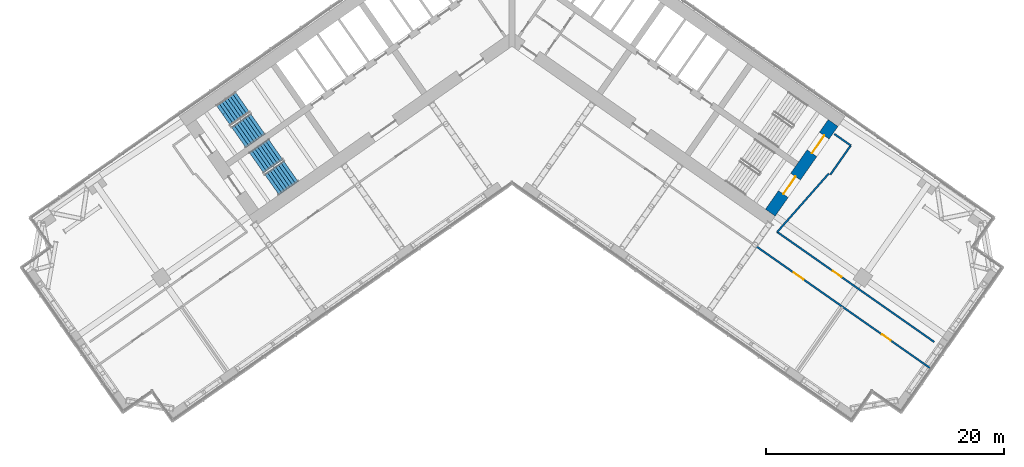
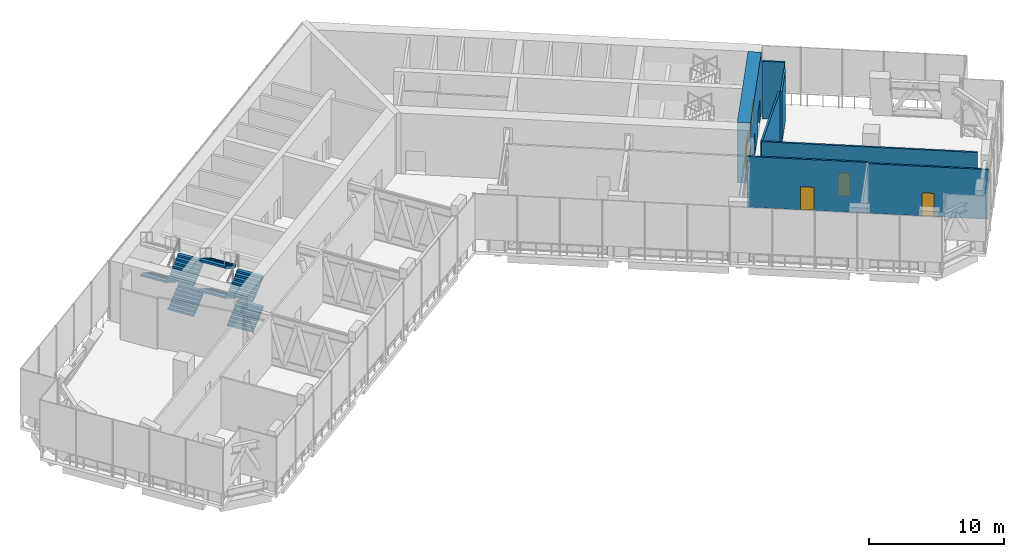
# One storey, part 7 of 24: 7 stair flights, 7 walls, 5 doors, 5 openings, 2 elements without a shape of their own.
"""IFC4 building model written with IfcOpenShell, lengths in metres."""

from ifc_helpers import new_model, si_unit, direction, frame, frame_2d, origin, place, context, subcontext, project, spatial, polyline, rectangle, outline, extrude, material, layer, layer_set, type_object, element, fill, aggregate, save


model = new_model("IFC4")

# Units and contexts
model_context = context("Model", 3, precision=1e-05, world=origin(), true_north=direction((0.0, 1.0)))
body_context = subcontext(model_context, "Body", "Model", "MODEL_VIEW")
ifc_project = project(units=[si_unit("LENGTHUNIT", "METRE"), si_unit("AREAUNIT", "SQUARE_METRE"), si_unit("VOLUMEUNIT", "CUBIC_METRE"), si_unit("PLANEANGLEUNIT", "RADIAN"), si_unit("MASSUNIT", "GRAM", prefix="KILO")], contexts=[model_context])

# Site, building, storey
site_placement = place(None, origin())
site = spatial("IfcSite", under=ifc_project, at=site_placement, CompositionType="ELEMENT")
building_placement = place(site_placement, origin())
building = spatial("IfcBuilding", under=site, at=building_placement, Name="Tel Ilan Convention Tower", CompositionType="ELEMENT")
storey_placement = place(building_placement, frame((0.0, 0.0, 126.5)))
storey = spatial("IfcBuildingStorey", under=building, at=storey_placement, Name="L28", CompositionType="ELEMENT", Elevation=126.5)

# Wall, openings, doors
ifc_material_1 = material(Name="Concrete C60/75", Category="concrete")
ifc_layer_1 = layer(ifc_material_1, 1.0)
ifc_layer_set_1 = layer_set([ifc_layer_1], Name="Core Shear Wall 1000 mm C60/75")
wall_type_1 = type_object("IfcWallType", Name="Core Shear Wall 1000 mm C60/75", PredefinedType="SHEAR", material=ifc_layer_set_1)
wall_1_placement = place(storey_placement, frame((21.70751953125, -15.19970703125, 0.0), z_axis=(0.0, 0.0, 1.0), x_axis=(0.573576324356, 0.819152122709, 0.0)))
wall_1 = element("IfcWall", 1, at=wall_1_placement, inside=storey, type_object=wall_type_1, Name="L28 core wall E-end", PredefinedType="SHEAR", context=body_context, shape_type="SweptSolid", body=[
    extrude(outline(polyline([(9.199951171875, 0.5), (0.0, 0.5), (0.0, -0.5), (9.199951171875, -0.5), (9.199951171875, 0.5)])), origin(), (0.0, 0.0, 1.0), 5.5),
])
opening_1_placement = place(wall_1_placement, frame((6.10009765625, 0.0, 0.0)))
opening_1 = element("IfcOpeningElement", 2, at=opening_1_placement, cuts=wall_1, Name="Opening SD2203", PredefinedType="OPENING", context=body_context, shape_type="SweptSolid", body=[
    extrude(rectangle(XDim=1.800048828125, YDim=2.10009765625, at=frame_2d((0.89990234375, 1.050048828125))), frame((0.0, 0.510009765625, 0.0), z_axis=(0.0, -1.0, 0.0), x_axis=(1.0, 0.0, 0.0)), (0.0, 0.0, 1.0), 1.02001953125),
])
opening_2_placement = place(wall_1_placement, frame((1.89990234375, 0.0, 0.0)))
opening_2 = element("IfcOpeningElement", 3, at=opening_2_placement, cuts=wall_1, Name="Opening SD2204", PredefinedType="OPENING", context=body_context, shape_type="SweptSolid", body=[
    extrude(rectangle(XDim=1.800048828125, YDim=2.10009765625, at=frame_2d((0.89990234375, 1.050048828125))), frame((0.0, 0.510009765625, 0.0), z_axis=(0.0, -1.0, 0.0), x_axis=(1.0, 0.0, 0.0)), (0.0, 0.0, 1.0), 1.02001953125),
])
ifc_material_2 = material(Name="Galvanised Steel Door Leaf", Category="steel")
door_type_1 = type_object("IfcDoorType", Name="Stair Fire Door 1800 x 2100 FD60S", OperationType="NOTDEFINED", PredefinedType="DOOR", material=ifc_material_2)
door_1_placement = place(opening_1_placement, origin())
door_1 = element("IfcDoor", 4, at=door_1_placement, inside=storey, type_object=door_type_1, Name="Stair S3 door", OperationType="DOUBLE_DOOR_SINGLE_SWING", OverallHeight=2.10009765625, OverallWidth=1.800048828125, PredefinedType="DOOR", context=body_context, shape_type="SweptSolid", body=[
    extrude(rectangle(XDim=1.800048828125, YDim=2.10009765625, at=frame_2d((0.89990234375, 1.050048828125))), frame((0.0, 0.02490234375, 0.0), z_axis=(0.0, -1.0, 0.0), x_axis=(1.0, 0.0, 0.0)), (0.0, 0.0, 1.0), 0.050048828125),
])
fill(opening_1, door_1)
door_2_placement = place(opening_2_placement, origin())
door_2 = element("IfcDoor", 5, at=door_2_placement, inside=storey, type_object=door_type_1, Name="Stair S4 door", OperationType="DOUBLE_DOOR_SINGLE_SWING", OverallHeight=2.10009765625, OverallWidth=1.800048828125, PredefinedType="DOOR", context=body_context, shape_type="SweptSolid", body=[
    extrude(rectangle(XDim=1.800048828125, YDim=2.10009765625, at=frame_2d((0.89990234375, 1.050048828125))), frame((0.0, 0.02490234375, 0.0), z_axis=(0.0, -1.0, 0.0), x_axis=(1.0, 0.0, 0.0)), (0.0, 0.0, 1.0), 0.050048828125),
])
fill(opening_2, door_2)

# Wall, opening, door
ifc_material_3 = material(Name="Plasterboard on Steel Studs", Category="steel")
ifc_layer_2 = layer(ifc_material_3, 0.14990234375)
ifc_layer_set_2 = layer_set([ifc_layer_2], Name="Fire-rated Partition 150 EI 60")
wall_type_2 = type_object("IfcWallType", Name="Fire-rated Partition 150 EI 60", PredefinedType="PARTITIONING", material=ifc_layer_set_2)
wall_2_placement = place(storey_placement, frame((22.28369140625, -16.823974609375, 0.0), z_axis=(0.0, 0.0, 1.0), x_axis=(0.819150741326, -0.573578297171, 0.0)))
wall_2 = element("IfcWall", 6, at=wall_2_placement, inside=storey, type_object=wall_type_2, Name="Partition 001", PredefinedType="PARTITIONING", context=body_context, shape_type="SweptSolid", body=[
    extrude(rectangle(XDim=16.108642578125, YDim=0.14990234375, at=frame_2d((8.05419921875, 0.0))), origin(), (0.0, 0.0, 1.0), 4.60009765625),
])
opening_3_placement = place(wall_2_placement, frame((5.704345703125, 0.0, 0.0)))
opening_3 = element("IfcOpeningElement", 7, at=opening_3_placement, cuts=wall_2, Name="Opening L28-009", PredefinedType="OPENING", context=body_context, shape_type="SweptSolid", body=[
    extrude(rectangle(XDim=0.89990234375, YDim=2.10009765625, at=frame_2d((0.449951171875, 1.050048828125))), frame((0.0, 0.0849609375, 0.0), z_axis=(0.0, -1.0, 0.0), x_axis=(1.0, 0.0, 0.0)), (0.0, 0.0, 1.0), 0.169921875),
])
ifc_material_4 = material(Name="Timber Door Leaf in Steel Frame", Category="steel")
door_type_2 = type_object("IfcDoorType", Name="Room Fire Door 900x2100", OperationType="NOTDEFINED", PredefinedType="DOOR", material=ifc_material_4)
door_3_placement = place(opening_3_placement, origin())
door_3 = element("IfcDoor", 8, at=door_3_placement, inside=storey, type_object=door_type_2, Name="Door L28-009", OperationType="SINGLE_SWING_LEFT", OverallHeight=2.10009765625, OverallWidth=0.89990234375, PredefinedType="DOOR", context=body_context, shape_type="SweptSolid", body=[
    extrude(rectangle(XDim=0.89990234375, YDim=2.10009765625, at=frame_2d((0.449951171875, 1.050048828125))), frame((0.0, 0.02490234375, 0.0), z_axis=(0.0, -1.0, 0.0), x_axis=(1.0, 0.0, 0.0)), (0.0, 0.0, 1.0), 0.050048828125),
])
fill(opening_3, door_3)

wall_3_placement = place(storey_placement, frame((27.770751953125, -23.106689453125, 0.0), z_axis=(0.0, 0.0, 1.0), x_axis=(-0.819164400877, 0.57355878891, 0.0)))
wall_3 = element("IfcWall", 9, at=wall_3_placement, inside=storey, type_object=wall_type_2, Name="Partition 003", PredefinedType="PARTITIONING", context=body_context, shape_type="SweptSolid", body=[
    extrude(rectangle(XDim=9.00390625, YDim=0.14990234375, at=frame_2d((4.501953125, 0.0))), origin(), (0.0, 0.0, 1.0), 4.60009765625),
])
opening_4_placement = place(wall_3_placement, frame((4.001953125, 0.0, 0.0)))
opening_4 = element("IfcOpeningElement", 10, at=opening_4_placement, cuts=wall_3, Name="Opening L28-007", PredefinedType="OPENING", context=body_context, shape_type="SweptSolid", body=[
    extrude(rectangle(XDim=1.0, YDim=2.10009765625, at=frame_2d((0.5, 1.050048828125))), frame((0.0, 0.0849609375, 0.0), z_axis=(0.0, -1.0, 0.0), x_axis=(1.0, 0.0, 0.0)), (0.0, 0.0, 1.0), 0.169921875),
])
ifc_material_5 = material(Name="Timber Door Leaf in Steel Frame", Category="steel")
door_type_3 = type_object("IfcDoorType", Name="Plant Room Fire Door 1000x2100", OperationType="NOTDEFINED", PredefinedType="DOOR", material=ifc_material_5)
door_4_placement = place(opening_4_placement, origin())
door_4 = element("IfcDoor", 11, at=door_4_placement, inside=storey, type_object=door_type_3, Name="Door L28-007", OperationType="SINGLE_SWING_RIGHT", OverallHeight=2.10009765625, OverallWidth=1.0, PredefinedType="DOOR", context=body_context, shape_type="SweptSolid", body=[
    extrude(rectangle(XDim=1.0, YDim=2.10009765625, at=frame_2d((0.5, 1.050048828125))), frame((0.0, 0.02490234375, 0.0), z_axis=(0.0, -1.0, 0.0), x_axis=(1.0, 0.0, 0.0)), (0.0, 0.0, 1.0), 0.050048828125),
])
fill(opening_4, door_4)

wall_4_placement = place(storey_placement, frame((35.1416015625, -28.267578125, 0.0), z_axis=(0.0, 0.0, 1.0), x_axis=(-0.819165659482, 0.573556991349, 0.0)))
wall_4 = element("IfcWall", 12, at=wall_4_placement, inside=storey, type_object=wall_type_2, Name="Partition 004", PredefinedType="PARTITIONING", context=body_context, shape_type="SweptSolid", body=[
    extrude(rectangle(XDim=9.001953125, YDim=0.14990234375, at=frame_2d((4.5009765625, 0.0))), origin(), (0.0, 0.0, 1.0), 4.5),
])
opening_5_placement = place(wall_4_placement, frame((4.05078125, 0.0, 0.0)))
opening_5 = element("IfcOpeningElement", 13, at=opening_5_placement, cuts=wall_4, Name="Opening L28-008", PredefinedType="OPENING", context=body_context, shape_type="SweptSolid", body=[
    extrude(rectangle(XDim=0.89990234375, YDim=2.10009765625, at=frame_2d((0.449951171875, 1.050048828125))), frame((0.0, 0.0849609375, 0.0), z_axis=(0.0, -1.0, 0.0), x_axis=(1.0, 0.0, 0.0)), (0.0, 0.0, 1.0), 0.169921875),
])
ifc_material_6 = material(Name="Timber Door Leaf in Steel Frame", Category="steel")
door_type_4 = type_object("IfcDoorType", Name="Riser and Service Fire Door 900x2100", OperationType="NOTDEFINED", PredefinedType="DOOR", material=ifc_material_6)
door_5_placement = place(opening_5_placement, origin())
door_5 = element("IfcDoor", 14, at=door_5_placement, inside=storey, type_object=door_type_4, Name="Door L28-008", OperationType="SINGLE_SWING_LEFT", OverallHeight=2.10009765625, OverallWidth=0.89990234375, PredefinedType="DOOR", context=body_context, shape_type="SweptSolid", body=[
    extrude(rectangle(XDim=0.89990234375, YDim=2.10009765625, at=frame_2d((0.449951171875, 1.050048828125))), frame((0.0, 0.02490234375, 0.0), z_axis=(0.0, -1.0, 0.0), x_axis=(1.0, 0.0, 0.0)), (0.0, 0.0, 1.0), 0.050048828125),
])
fill(opening_5, door_5)

# Walls
wall_5_placement = place(storey_placement, frame((22.285400390625, -16.8251953125, 0.0), z_axis=(0.0, 0.0, 1.0), x_axis=(0.661551268245, 0.749899939647, 0.0)))
element("IfcWall", 15, at=wall_5_placement, inside=storey, type_object=wall_type_2, Name="Partition 010", PredefinedType="PARTITIONING", context=body_context, shape_type="SweptSolid", body=[
    extrude(rectangle(XDim=6.541015625, YDim=0.14990234375, at=frame_2d((3.2705078125, 0.0))), origin(), (0.0, 0.0, 1.0), 4.60009765625),
])
wall_6_placement = place(storey_placement, frame((26.74609375, -12.013671875, 0.0), z_axis=(0.0, 0.0, 1.0), x_axis=(0.573560650686, 0.819163097304, 0.0)))
element("IfcWall", 16, at=wall_6_placement, inside=storey, type_object=wall_type_2, Name="Partition 011", PredefinedType="PARTITIONING", context=body_context, shape_type="SweptSolid", body=[
    extrude(rectangle(XDim=3.0, YDim=0.14990234375, at=frame_2d((1.5, 0.0))), origin(), (0.0, 0.0, 1.0), 4.60009765625),
])
wall_7_placement = place(storey_placement, frame((28.466796875, -9.55615234375, 0.0), z_axis=(0.0, 0.0, 1.0), x_axis=(-0.819109000826, 0.573637903879, 0.0)))
element("IfcWall", 17, at=wall_7_placement, inside=storey, type_object=wall_type_2, Name="Partition 012", PredefinedType="PARTITIONING", context=body_context, shape_type="SweptSolid", body=[
    extrude(rectangle(XDim=1.679931640625, YDim=0.14990234375, at=frame_2d((0.83984375, 0.0))), origin(), (0.0, 0.0, 1.0), 5.219970703125),
])

# Stair, stair flights
ifc_material_7 = material(Name="Concrete C40/50", Category="concrete")
stair_type = type_object("IfcStairType", Name="Pressurised Exit Stair 32 risers 172 mm", PredefinedType="HALF_TURN_STAIR", material=ifc_material_7)
stair_1_placement = place(storey_placement, origin())
stair_1 = element("IfcStair", 18, at=stair_1_placement, inside=storey, type_object=stair_type, Name="L28 Pressurised Stair S1", PredefinedType="HALF_TURN_STAIR")
ifc_material_8 = material(Name="Precast Concrete C40/50", Category="concrete")
stair_flight_type = type_object("IfcStairFlightType", Name="Concrete Stair Flight 2100 mm 32 risers 172 mm", PredefinedType="STRAIGHT", material=ifc_material_8)
stair_flight_1_placement = place(storey_placement, frame((-22.9619140625, -8.87548828125, 0.0), z_axis=(0.0, 0.0, 1.0), x_axis=(0.819152044289, 0.573576436351, 0.0)))
stair_flight_1 = element("IfcStairFlight", 19, at=stair_flight_1_placement, type_object=stair_flight_type, Name="S1 flight 1", NumberOfRisers=8, NumberOfTreads=7, PredefinedType="STRAIGHT", RiserHeight=0.171875, TreadLength=0.28, context=body_context, shape_type="SweptSolid", body=[
    extrude(outline(polyline([(0.0, 0.0), (0.0, 0.171875), (0.280029296875, 0.171875), (0.280029296875, 0.34375), (0.56005859375, 0.34375), (0.56005859375, 0.515625), (0.840087890625, 0.515625), (0.840087890625, 0.6875), (1.1201171875, 0.6875), (1.1201171875, 0.859375), (1.39990234375, 0.859375), (1.39990234375, 1.03125), (1.679931640625, 1.03125), (1.679931640625, 1.203125), (1.9599609375, 1.203125), (1.9599609375, 1.375), (1.9599609375, 1.02734375), (0.28662109375, 0.0), (0.0, 0.0)])), frame((0.0, -0.100341796875, 0.0), z_axis=(0.0, -1.0, 0.0), x_axis=(1.0, 0.0, 0.0)), (0.0, 0.0, 1.0), 0.94970703125),
    extrude(outline(polyline([(0.0, 0.0), (0.0, 0.171875), (0.280029296875, 0.171875), (0.280029296875, 0.34375), (0.56005859375, 0.34375), (0.56005859375, 0.515625), (0.840087890625, 0.515625), (0.840087890625, 0.6875), (1.1201171875, 0.6875), (1.1201171875, 0.859375), (1.39990234375, 0.859375), (1.39990234375, 1.03125), (1.679931640625, 1.03125), (1.679931640625, 1.203125), (1.9599609375, 1.203125), (1.9599609375, 1.375), (1.9599609375, 1.02734375), (0.28662109375, 0.0), (0.0, 0.0)])), frame((0.0, -0.000244140625, 0.0), z_axis=(0.0, -1.0, 0.0), x_axis=(1.0, 0.0, 0.0)), (0.0, 0.0, 1.0), 0.099609375),
    extrude(outline(polyline([(0.0, 0.0), (0.0, 0.171875), (0.280029296875, 0.171875), (0.280029296875, 0.34375), (0.56005859375, 0.34375), (0.56005859375, 0.515625), (0.840087890625, 0.515625), (0.840087890625, 0.6875), (1.1201171875, 0.6875), (1.1201171875, 0.859375), (1.39990234375, 0.859375), (1.39990234375, 1.03125), (1.679931640625, 1.03125), (1.679931640625, 1.203125), (1.9599609375, 1.203125), (1.9599609375, 1.375), (1.9599609375, 1.02734375), (0.28662109375, 0.0), (0.0, 0.0)])), frame((0.0, 0.099853515625, 0.0), z_axis=(0.0, -1.0, 0.0), x_axis=(1.0, 0.0, 0.0)), (0.0, 0.0, 1.0), 0.099609375),
    extrude(outline(polyline([(0.0, 0.0), (0.0, 0.171875), (0.280029296875, 0.171875), (0.280029296875, 0.34375), (0.56005859375, 0.34375), (0.56005859375, 0.515625), (0.840087890625, 0.515625), (0.840087890625, 0.6875), (1.1201171875, 0.6875), (1.1201171875, 0.859375), (1.39990234375, 0.859375), (1.39990234375, 1.03125), (1.679931640625, 1.03125), (1.679931640625, 1.203125), (1.9599609375, 1.203125), (1.9599609375, 1.375), (1.9599609375, 1.02734375), (0.28662109375, 0.0), (0.0, 0.0)])), frame((0.0, 1.050048828125, 0.0), z_axis=(0.0, -1.0, 0.0), x_axis=(1.0, 0.0, 0.0)), (0.0, 0.0, 1.0), 0.94970703125),
])
stair_flight_2_placement = place(storey_placement, frame((-22.646728515625, -5.908203125, 1.375), z_axis=(0.0, 0.0, 1.0), x_axis=(-0.819152044289, -0.573576436351, 0.0)))
stair_flight_2 = element("IfcStairFlight", 20, at=stair_flight_2_placement, type_object=stair_flight_type, Name="S1 flight 2", NumberOfRisers=8, NumberOfTreads=7, PredefinedType="STRAIGHT", RiserHeight=0.171875, TreadLength=0.28, context=body_context, shape_type="SweptSolid", body=[
    extrude(outline(polyline([(0.0, 0.0), (0.0, 0.171875), (0.280029296875, 0.171875), (0.280029296875, 0.34375), (0.56005859375, 0.34375), (0.56005859375, 0.515625), (0.840087890625, 0.515625), (0.840087890625, 0.6875), (1.1201171875, 0.6875), (1.1201171875, 0.859375), (1.39990234375, 0.859375), (1.39990234375, 1.03125), (1.679931640625, 1.03125), (1.679931640625, 1.203125), (1.9599609375, 1.203125), (1.9599609375, 1.375), (1.9599609375, 1.02734375), (0.28662109375, 0.0), (0.0, 0.0)])), frame((0.0, -0.100341796875, 0.0), z_axis=(0.0, -1.0, 0.0), x_axis=(1.0, 0.0, 0.0)), (0.0, 0.0, 1.0), 0.94970703125),
    extrude(outline(polyline([(0.0, 0.0), (0.0, 0.171875), (0.280029296875, 0.171875), (0.280029296875, 0.34375), (0.56005859375, 0.34375), (0.56005859375, 0.515625), (0.840087890625, 0.515625), (0.840087890625, 0.6875), (1.1201171875, 0.6875), (1.1201171875, 0.859375), (1.39990234375, 0.859375), (1.39990234375, 1.03125), (1.679931640625, 1.03125), (1.679931640625, 1.203125), (1.9599609375, 1.203125), (1.9599609375, 1.375), (1.9599609375, 1.02734375), (0.28662109375, 0.0), (0.0, 0.0)])), frame((0.0, -0.000244140625, 0.0), z_axis=(0.0, -1.0, 0.0), x_axis=(1.0, 0.0, 0.0)), (0.0, 0.0, 1.0), 0.099609375),
    extrude(outline(polyline([(0.0, 0.0), (0.0, 0.171875), (0.280029296875, 0.171875), (0.280029296875, 0.34375), (0.56005859375, 0.34375), (0.56005859375, 0.515625), (0.840087890625, 0.515625), (0.840087890625, 0.6875), (1.1201171875, 0.6875), (1.1201171875, 0.859375), (1.39990234375, 0.859375), (1.39990234375, 1.03125), (1.679931640625, 1.03125), (1.679931640625, 1.203125), (1.9599609375, 1.203125), (1.9599609375, 1.375), (1.9599609375, 1.02734375), (0.28662109375, 0.0), (0.0, 0.0)])), frame((0.0, 0.099853515625, 0.0), z_axis=(0.0, -1.0, 0.0), x_axis=(1.0, 0.0, 0.0)), (0.0, 0.0, 1.0), 0.099609375),
    extrude(outline(polyline([(0.0, 0.0), (0.0, 0.171875), (0.280029296875, 0.171875), (0.280029296875, 0.34375), (0.56005859375, 0.34375), (0.56005859375, 0.515625), (0.840087890625, 0.515625), (0.840087890625, 0.6875), (1.1201171875, 0.6875), (1.1201171875, 0.859375), (1.39990234375, 0.859375), (1.39990234375, 1.03125), (1.679931640625, 1.03125), (1.679931640625, 1.203125), (1.9599609375, 1.203125), (1.9599609375, 1.375), (1.9599609375, 1.02734375), (0.28662109375, 0.0), (0.0, 0.0)])), frame((0.0, 1.050048828125, 0.0), z_axis=(0.0, -1.0, 0.0), x_axis=(1.0, 0.0, 0.0)), (0.0, 0.0, 1.0), 0.94970703125),
])
stair_flight_3_placement = place(storey_placement, frame((-22.9619140625, -8.87548828125, 2.75), z_axis=(0.0, 0.0, 1.0), x_axis=(0.819152044289, 0.573576436351, 0.0)))
stair_flight_3 = element("IfcStairFlight", 21, at=stair_flight_3_placement, type_object=stair_flight_type, Name="S1 flight 3", NumberOfRisers=8, NumberOfTreads=7, PredefinedType="STRAIGHT", RiserHeight=0.171875, TreadLength=0.28, context=body_context, shape_type="SweptSolid", body=[
    extrude(outline(polyline([(0.0, 0.0), (0.0, 0.171875), (0.280029296875, 0.171875), (0.280029296875, 0.34375), (0.56005859375, 0.34375), (0.56005859375, 0.515625), (0.840087890625, 0.515625), (0.840087890625, 0.6875), (1.1201171875, 0.6875), (1.1201171875, 0.859375), (1.39990234375, 0.859375), (1.39990234375, 1.03125), (1.679931640625, 1.03125), (1.679931640625, 1.203125), (1.9599609375, 1.203125), (1.9599609375, 1.375), (1.9599609375, 1.02734375), (0.28662109375, 0.0), (0.0, 0.0)])), frame((0.0, -0.100341796875, 0.0), z_axis=(0.0, -1.0, 0.0), x_axis=(1.0, 0.0, 0.0)), (0.0, 0.0, 1.0), 0.94970703125),
    extrude(outline(polyline([(0.0, 0.0), (0.0, 0.171875), (0.280029296875, 0.171875), (0.280029296875, 0.34375), (0.56005859375, 0.34375), (0.56005859375, 0.515625), (0.840087890625, 0.515625), (0.840087890625, 0.6875), (1.1201171875, 0.6875), (1.1201171875, 0.859375), (1.39990234375, 0.859375), (1.39990234375, 1.03125), (1.679931640625, 1.03125), (1.679931640625, 1.203125), (1.9599609375, 1.203125), (1.9599609375, 1.375), (1.9599609375, 1.02734375), (0.28662109375, 0.0), (0.0, 0.0)])), frame((0.0, -0.000244140625, 0.0), z_axis=(0.0, -1.0, 0.0), x_axis=(1.0, 0.0, 0.0)), (0.0, 0.0, 1.0), 0.099609375),
    extrude(outline(polyline([(0.0, 0.0), (0.0, 0.171875), (0.280029296875, 0.171875), (0.280029296875, 0.34375), (0.56005859375, 0.34375), (0.56005859375, 0.515625), (0.840087890625, 0.515625), (0.840087890625, 0.6875), (1.1201171875, 0.6875), (1.1201171875, 0.859375), (1.39990234375, 0.859375), (1.39990234375, 1.03125), (1.679931640625, 1.03125), (1.679931640625, 1.203125), (1.9599609375, 1.203125), (1.9599609375, 1.375), (1.9599609375, 1.02734375), (0.28662109375, 0.0), (0.0, 0.0)])), frame((0.0, 0.099853515625, 0.0), z_axis=(0.0, -1.0, 0.0), x_axis=(1.0, 0.0, 0.0)), (0.0, 0.0, 1.0), 0.099609375),
    extrude(outline(polyline([(0.0, 0.0), (0.0, 0.171875), (0.280029296875, 0.171875), (0.280029296875, 0.34375), (0.56005859375, 0.34375), (0.56005859375, 0.515625), (0.840087890625, 0.515625), (0.840087890625, 0.6875), (1.1201171875, 0.6875), (1.1201171875, 0.859375), (1.39990234375, 0.859375), (1.39990234375, 1.03125), (1.679931640625, 1.03125), (1.679931640625, 1.203125), (1.9599609375, 1.203125), (1.9599609375, 1.375), (1.9599609375, 1.02734375), (0.28662109375, 0.0), (0.0, 0.0)])), frame((0.0, 1.050048828125, 0.0), z_axis=(0.0, -1.0, 0.0), x_axis=(1.0, 0.0, 0.0)), (0.0, 0.0, 1.0), 0.94970703125),
])
aggregate(stair_1, [stair_flight_1, stair_flight_2, stair_flight_3])

stair_2_placement = place(storey_placement, origin())
stair_2 = element("IfcStair", 22, at=stair_2_placement, inside=storey, type_object=stair_type, Name="L28 Pressurised Stair S2", PredefinedType="HALF_TURN_STAIR")
stair_flight_4_placement = place(storey_placement, frame((-20.179931640625, -12.848388671875, 0.0), z_axis=(0.0, 0.0, 1.0), x_axis=(0.819152044289, 0.573576436351, 0.0)))
stair_flight_4 = element("IfcStairFlight", 23, at=stair_flight_4_placement, type_object=stair_flight_type, Name="S2 flight 1", NumberOfRisers=8, NumberOfTreads=7, PredefinedType="STRAIGHT", RiserHeight=0.171875, TreadLength=0.28, context=body_context, shape_type="SweptSolid", body=[
    extrude(outline(polyline([(0.0, 0.0), (0.0, 0.171875), (0.280029296875, 0.171875), (0.280029296875, 0.34375), (0.56005859375, 0.34375), (0.56005859375, 0.515625), (0.840087890625, 0.515625), (0.840087890625, 0.6875), (1.1201171875, 0.6875), (1.1201171875, 0.859375), (1.39990234375, 0.859375), (1.39990234375, 1.03125), (1.679931640625, 1.03125), (1.679931640625, 1.203125), (1.9599609375, 1.203125), (1.9599609375, 1.375), (1.9599609375, 1.02734375), (0.28662109375, 0.0), (0.0, 0.0)])), frame((0.0, -0.100341796875, 0.0), z_axis=(0.0, -1.0, 0.0), x_axis=(1.0, 0.0, 0.0)), (0.0, 0.0, 1.0), 0.94970703125),
    extrude(outline(polyline([(0.0, 0.0), (0.0, 0.171875), (0.280029296875, 0.171875), (0.280029296875, 0.34375), (0.56005859375, 0.34375), (0.56005859375, 0.515625), (0.840087890625, 0.515625), (0.840087890625, 0.6875), (1.1201171875, 0.6875), (1.1201171875, 0.859375), (1.39990234375, 0.859375), (1.39990234375, 1.03125), (1.679931640625, 1.03125), (1.679931640625, 1.203125), (1.9599609375, 1.203125), (1.9599609375, 1.375), (1.9599609375, 1.02734375), (0.28662109375, 0.0), (0.0, 0.0)])), frame((0.0, -0.000244140625, 0.0), z_axis=(0.0, -1.0, 0.0), x_axis=(1.0, 0.0, 0.0)), (0.0, 0.0, 1.0), 0.099609375),
    extrude(outline(polyline([(0.0, 0.0), (0.0, 0.171875), (0.280029296875, 0.171875), (0.280029296875, 0.34375), (0.56005859375, 0.34375), (0.56005859375, 0.515625), (0.840087890625, 0.515625), (0.840087890625, 0.6875), (1.1201171875, 0.6875), (1.1201171875, 0.859375), (1.39990234375, 0.859375), (1.39990234375, 1.03125), (1.679931640625, 1.03125), (1.679931640625, 1.203125), (1.9599609375, 1.203125), (1.9599609375, 1.375), (1.9599609375, 1.02734375), (0.28662109375, 0.0), (0.0, 0.0)])), frame((0.0, 0.099853515625, 0.0), z_axis=(0.0, -1.0, 0.0), x_axis=(1.0, 0.0, 0.0)), (0.0, 0.0, 1.0), 0.099609375),
    extrude(outline(polyline([(0.0, 0.0), (0.0, 0.171875), (0.280029296875, 0.171875), (0.280029296875, 0.34375), (0.56005859375, 0.34375), (0.56005859375, 0.515625), (0.840087890625, 0.515625), (0.840087890625, 0.6875), (1.1201171875, 0.6875), (1.1201171875, 0.859375), (1.39990234375, 0.859375), (1.39990234375, 1.03125), (1.679931640625, 1.03125), (1.679931640625, 1.203125), (1.9599609375, 1.203125), (1.9599609375, 1.375), (1.9599609375, 1.02734375), (0.28662109375, 0.0), (0.0, 0.0)])), frame((0.0, 1.050048828125, 0.0), z_axis=(0.0, -1.0, 0.0), x_axis=(1.0, 0.0, 0.0)), (0.0, 0.0, 1.0), 0.94970703125),
])
stair_flight_5_placement = place(storey_placement, frame((-19.864990234375, -9.881103515625, 1.375), z_axis=(0.0, 0.0, 1.0), x_axis=(-0.819152044289, -0.573576436351, 0.0)))
stair_flight_5 = element("IfcStairFlight", 24, at=stair_flight_5_placement, type_object=stair_flight_type, Name="S2 flight 2", NumberOfRisers=8, NumberOfTreads=7, PredefinedType="STRAIGHT", RiserHeight=0.171875, TreadLength=0.28, context=body_context, shape_type="SweptSolid", body=[
    extrude(outline(polyline([(0.0, 0.0), (0.0, 0.171875), (0.280029296875, 0.171875), (0.280029296875, 0.34375), (0.56005859375, 0.34375), (0.56005859375, 0.515625), (0.840087890625, 0.515625), (0.840087890625, 0.6875), (1.1201171875, 0.6875), (1.1201171875, 0.859375), (1.39990234375, 0.859375), (1.39990234375, 1.03125), (1.679931640625, 1.03125), (1.679931640625, 1.203125), (1.9599609375, 1.203125), (1.9599609375, 1.375), (1.9599609375, 1.02734375), (0.28662109375, 0.0), (0.0, 0.0)])), frame((0.0, -0.100341796875, 0.0), z_axis=(0.0, -1.0, 0.0), x_axis=(1.0, 0.0, 0.0)), (0.0, 0.0, 1.0), 0.94970703125),
    extrude(outline(polyline([(0.0, 0.0), (0.0, 0.171875), (0.280029296875, 0.171875), (0.280029296875, 0.34375), (0.56005859375, 0.34375), (0.56005859375, 0.515625), (0.840087890625, 0.515625), (0.840087890625, 0.6875), (1.1201171875, 0.6875), (1.1201171875, 0.859375), (1.39990234375, 0.859375), (1.39990234375, 1.03125), (1.679931640625, 1.03125), (1.679931640625, 1.203125), (1.9599609375, 1.203125), (1.9599609375, 1.375), (1.9599609375, 1.02734375), (0.28662109375, 0.0), (0.0, 0.0)])), frame((0.0, -0.000244140625, 0.0), z_axis=(0.0, -1.0, 0.0), x_axis=(1.0, 0.0, 0.0)), (0.0, 0.0, 1.0), 0.099609375),
    extrude(outline(polyline([(0.0, 0.0), (0.0, 0.171875), (0.280029296875, 0.171875), (0.280029296875, 0.34375), (0.56005859375, 0.34375), (0.56005859375, 0.515625), (0.840087890625, 0.515625), (0.840087890625, 0.6875), (1.1201171875, 0.6875), (1.1201171875, 0.859375), (1.39990234375, 0.859375), (1.39990234375, 1.03125), (1.679931640625, 1.03125), (1.679931640625, 1.203125), (1.9599609375, 1.203125), (1.9599609375, 1.375), (1.9599609375, 1.02734375), (0.28662109375, 0.0), (0.0, 0.0)])), frame((0.0, 0.099853515625, 0.0), z_axis=(0.0, -1.0, 0.0), x_axis=(1.0, 0.0, 0.0)), (0.0, 0.0, 1.0), 0.099609375),
    extrude(outline(polyline([(0.0, 0.0), (0.0, 0.171875), (0.280029296875, 0.171875), (0.280029296875, 0.34375), (0.56005859375, 0.34375), (0.56005859375, 0.515625), (0.840087890625, 0.515625), (0.840087890625, 0.6875), (1.1201171875, 0.6875), (1.1201171875, 0.859375), (1.39990234375, 0.859375), (1.39990234375, 1.03125), (1.679931640625, 1.03125), (1.679931640625, 1.203125), (1.9599609375, 1.203125), (1.9599609375, 1.375), (1.9599609375, 1.02734375), (0.28662109375, 0.0), (0.0, 0.0)])), frame((0.0, 1.050048828125, 0.0), z_axis=(0.0, -1.0, 0.0), x_axis=(1.0, 0.0, 0.0)), (0.0, 0.0, 1.0), 0.94970703125),
])
stair_flight_6_placement = place(storey_placement, frame((-20.179931640625, -12.848388671875, 2.75), z_axis=(0.0, 0.0, 1.0), x_axis=(0.819152044289, 0.573576436351, 0.0)))
stair_flight_6 = element("IfcStairFlight", 25, at=stair_flight_6_placement, type_object=stair_flight_type, Name="S2 flight 3", NumberOfRisers=8, NumberOfTreads=7, PredefinedType="STRAIGHT", RiserHeight=0.171875, TreadLength=0.28, context=body_context, shape_type="SweptSolid", body=[
    extrude(outline(polyline([(0.0, 0.0), (0.0, 0.171875), (0.280029296875, 0.171875), (0.280029296875, 0.34375), (0.56005859375, 0.34375), (0.56005859375, 0.515625), (0.840087890625, 0.515625), (0.840087890625, 0.6875), (1.1201171875, 0.6875), (1.1201171875, 0.859375), (1.39990234375, 0.859375), (1.39990234375, 1.03125), (1.679931640625, 1.03125), (1.679931640625, 1.203125), (1.9599609375, 1.203125), (1.9599609375, 1.375), (1.9599609375, 1.02734375), (0.28662109375, 0.0), (0.0, 0.0)])), frame((0.0, -0.100341796875, 0.0), z_axis=(0.0, -1.0, 0.0), x_axis=(1.0, 0.0, 0.0)), (0.0, 0.0, 1.0), 0.94970703125),
    extrude(outline(polyline([(0.0, 0.0), (0.0, 0.171875), (0.280029296875, 0.171875), (0.280029296875, 0.34375), (0.56005859375, 0.34375), (0.56005859375, 0.515625), (0.840087890625, 0.515625), (0.840087890625, 0.6875), (1.1201171875, 0.6875), (1.1201171875, 0.859375), (1.39990234375, 0.859375), (1.39990234375, 1.03125), (1.679931640625, 1.03125), (1.679931640625, 1.203125), (1.9599609375, 1.203125), (1.9599609375, 1.375), (1.9599609375, 1.02734375), (0.28662109375, 0.0), (0.0, 0.0)])), frame((0.0, -0.000244140625, 0.0), z_axis=(0.0, -1.0, 0.0), x_axis=(1.0, 0.0, 0.0)), (0.0, 0.0, 1.0), 0.099609375),
    extrude(outline(polyline([(0.0, 0.0), (0.0, 0.171875), (0.280029296875, 0.171875), (0.280029296875, 0.34375), (0.56005859375, 0.34375), (0.56005859375, 0.515625), (0.840087890625, 0.515625), (0.840087890625, 0.6875), (1.1201171875, 0.6875), (1.1201171875, 0.859375), (1.39990234375, 0.859375), (1.39990234375, 1.03125), (1.679931640625, 1.03125), (1.679931640625, 1.203125), (1.9599609375, 1.203125), (1.9599609375, 1.375), (1.9599609375, 1.02734375), (0.28662109375, 0.0), (0.0, 0.0)])), frame((0.0, 0.099853515625, 0.0), z_axis=(0.0, -1.0, 0.0), x_axis=(1.0, 0.0, 0.0)), (0.0, 0.0, 1.0), 0.099609375),
    extrude(outline(polyline([(0.0, 0.0), (0.0, 0.171875), (0.280029296875, 0.171875), (0.280029296875, 0.34375), (0.56005859375, 0.34375), (0.56005859375, 0.515625), (0.840087890625, 0.515625), (0.840087890625, 0.6875), (1.1201171875, 0.6875), (1.1201171875, 0.859375), (1.39990234375, 0.859375), (1.39990234375, 1.03125), (1.679931640625, 1.03125), (1.679931640625, 1.203125), (1.9599609375, 1.203125), (1.9599609375, 1.375), (1.9599609375, 1.02734375), (0.28662109375, 0.0), (0.0, 0.0)])), frame((0.0, 1.050048828125, 0.0), z_axis=(0.0, -1.0, 0.0), x_axis=(1.0, 0.0, 0.0)), (0.0, 0.0, 1.0), 0.94970703125),
])
stair_flight_7_placement = place(storey_placement, frame((-19.864990234375, -9.881103515625, 4.125), z_axis=(0.0, 0.0, 1.0), x_axis=(-0.819152044289, -0.573576436351, 0.0)))
stair_flight_7 = element("IfcStairFlight", 26, at=stair_flight_7_placement, type_object=stair_flight_type, Name="S2 flight 4", NumberOfRisers=8, NumberOfTreads=7, PredefinedType="STRAIGHT", RiserHeight=0.171875, TreadLength=0.28, context=body_context, shape_type="SweptSolid", body=[
    extrude(outline(polyline([(0.0, 0.0), (0.0, 0.171875), (0.280029296875, 0.171875), (0.280029296875, 0.34375), (0.56005859375, 0.34375), (0.56005859375, 0.515625), (0.840087890625, 0.515625), (0.840087890625, 0.6875), (1.1201171875, 0.6875), (1.1201171875, 0.859375), (1.39990234375, 0.859375), (1.39990234375, 1.03125), (1.679931640625, 1.03125), (1.679931640625, 1.203125), (1.9599609375, 1.203125), (1.9599609375, 1.375), (1.9599609375, 1.02734375), (0.28662109375, 0.0), (0.0, 0.0)])), frame((0.0, -0.100341796875, 0.0), z_axis=(0.0, -1.0, 0.0), x_axis=(1.0, 0.0, 0.0)), (0.0, 0.0, 1.0), 0.94970703125),
    extrude(outline(polyline([(0.0, 0.0), (0.0, 0.171875), (0.280029296875, 0.171875), (0.280029296875, 0.34375), (0.56005859375, 0.34375), (0.56005859375, 0.515625), (0.840087890625, 0.515625), (0.840087890625, 0.6875), (1.1201171875, 0.6875), (1.1201171875, 0.859375), (1.39990234375, 0.859375), (1.39990234375, 1.03125), (1.679931640625, 1.03125), (1.679931640625, 1.203125), (1.9599609375, 1.203125), (1.9599609375, 1.375), (1.9599609375, 1.02734375), (0.28662109375, 0.0), (0.0, 0.0)])), frame((0.0, -0.000244140625, 0.0), z_axis=(0.0, -1.0, 0.0), x_axis=(1.0, 0.0, 0.0)), (0.0, 0.0, 1.0), 0.099609375),
    extrude(outline(polyline([(0.0, 0.0), (0.0, 0.171875), (0.280029296875, 0.171875), (0.280029296875, 0.34375), (0.56005859375, 0.34375), (0.56005859375, 0.515625), (0.840087890625, 0.515625), (0.840087890625, 0.6875), (1.1201171875, 0.6875), (1.1201171875, 0.859375), (1.39990234375, 0.859375), (1.39990234375, 1.03125), (1.679931640625, 1.03125), (1.679931640625, 1.203125), (1.9599609375, 1.203125), (1.9599609375, 1.375), (1.9599609375, 1.02734375), (0.28662109375, 0.0), (0.0, 0.0)])), frame((0.0, 0.099853515625, 0.0), z_axis=(0.0, -1.0, 0.0), x_axis=(1.0, 0.0, 0.0)), (0.0, 0.0, 1.0), 0.099609375),
    extrude(outline(polyline([(0.0, 0.0), (0.0, 0.171875), (0.280029296875, 0.171875), (0.280029296875, 0.34375), (0.56005859375, 0.34375), (0.56005859375, 0.515625), (0.840087890625, 0.515625), (0.840087890625, 0.6875), (1.1201171875, 0.6875), (1.1201171875, 0.859375), (1.39990234375, 0.859375), (1.39990234375, 1.03125), (1.679931640625, 1.03125), (1.679931640625, 1.203125), (1.9599609375, 1.203125), (1.9599609375, 1.375), (1.9599609375, 1.02734375), (0.28662109375, 0.0), (0.0, 0.0)])), frame((0.0, 1.050048828125, 0.0), z_axis=(0.0, -1.0, 0.0), x_axis=(1.0, 0.0, 0.0)), (0.0, 0.0, 1.0), 0.94970703125),
])
aggregate(stair_2, [stair_flight_4, stair_flight_5, stair_flight_6, stair_flight_7])

save(model, "model.ifc")
